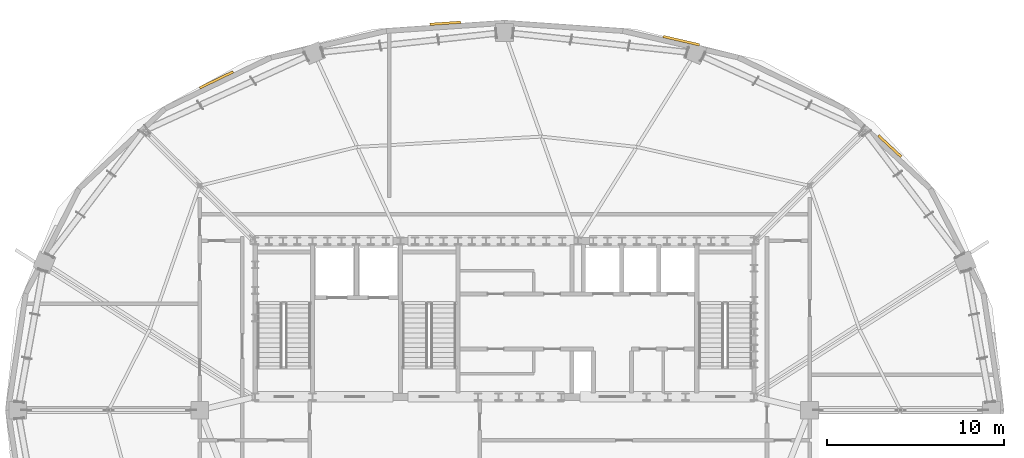
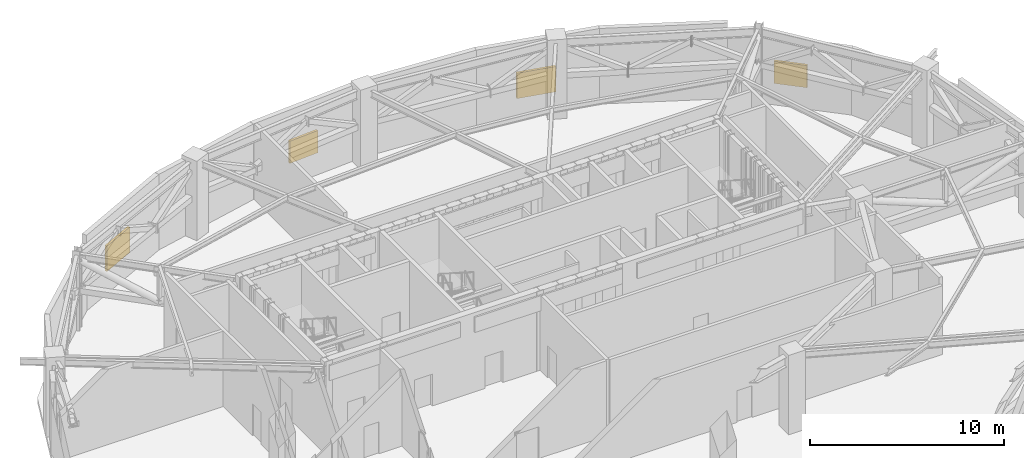
# One storey, part 20 of 20: 4 shading devices.
"""IFC4 building model written with IfcOpenShell, lengths in metres."""

from ifc_helpers import new_model, si_unit, direction, frame, origin, origin_2d, place, context, subcontext, project, spatial, rectangle, extrude, material, type_object, element, save


model = new_model("IFC4")

# Units and contexts
model_context = context("Model", 3, precision=1e-05, world=origin(), true_north=direction((0.0, 1.0)))
body_context = subcontext(model_context, "Body", "Model", "MODEL_VIEW")
ifc_project = project(units=[si_unit("LENGTHUNIT", "METRE"), si_unit("AREAUNIT", "SQUARE_METRE"), si_unit("VOLUMEUNIT", "CUBIC_METRE"), si_unit("PLANEANGLEUNIT", "RADIAN"), si_unit("MASSUNIT", "GRAM", prefix="KILO")], contexts=[model_context])

# Site, building, storey
site_placement = place(None, origin())
site = spatial("IfcSite", under=ifc_project, at=site_placement, CompositionType="ELEMENT")
building_placement = place(site_placement, origin())
building = spatial("IfcBuilding", under=site, at=building_placement, Name="Haldorwick Loom Tower", CompositionType="ELEMENT")
storey_placement = place(building_placement, frame((0.0, 0.0, 222.10009765625)))
storey = spatial("IfcBuildingStorey", under=building, at=storey_placement, Name="L60", CompositionType="ELEMENT", Elevation=222.10009765625)

# Shading devices
ifc_material = material(Name="Extruded Anodized Aluminium Weather Louvre", Category="aluminium")
shading_device_type_1 = type_object("IfcShadingDeviceType", Name="ARC-SHD-LOUVRE", PredefinedType="JALOUSIE", material=ifc_material)
for number, where, z_axis, x_axis, name in (
    (1, (45.96435546875, 46.8388671875, 1.0498046875), (0.0, 0.0, 1.0), (-0.974370064785, 0.224951054344, 0.0), "L60 Mechanical Intake Weather Louvre 5"),
    (2, (19.744140625, 44.6279296875, 1.0498046875), (0.0, 0.0, 1.0), (-0.900318771402, -0.435231099372, 0.0), "L60 Mechanical Intake Weather Louvre 9"),
):
    element("IfcShadingDevice", number, at=place(storey_placement, frame(where, z_axis=z_axis, x_axis=x_axis)), inside=storey, type_object=shading_device_type_1, Name=name, PredefinedType="JALOUSIE", context=body_context, shape_type="SweptSolid", body=[
        extrude(rectangle(XDim=2.10009765625, YDim=0.139892578125, at=origin_2d()), origin(), (0.0, 0.0, 1.0), 1.60009765625),
    ])
shading_device_type_2 = type_object("IfcShadingDeviceType", Name="ARC-SHD-LOUVRE2", PredefinedType="JALOUSIE", material=ifc_material)
for number, where, z_axis, x_axis, name in (
    (3, (57.723388671875, 40.890625, 1.14990234375), (0.0, 0.0, 1.0), (-0.731353701619, 0.681998360062, 0.0), "L60 Mechanical Intake Weather Louvre 3"),
    (4, (32.6533203125, 47.820556640625, 1.14990234375), (0.0, 0.0, 1.0), (-0.997684278836, -0.068015290665, 0.0), "L60 Mechanical Intake Weather Louvre 7"),
):
    element("IfcShadingDevice", number, at=place(storey_placement, frame(where, z_axis=z_axis, x_axis=x_axis)), inside=storey, type_object=shading_device_type_2, Name=name, PredefinedType="JALOUSIE", context=body_context, shape_type="SweptSolid", body=[
        extrude(rectangle(XDim=1.75, YDim=0.139892578125, at=origin_2d()), origin(), (0.0, 0.0, 1.0), 1.39990234375),
    ])

save(model, "model.ifc")
